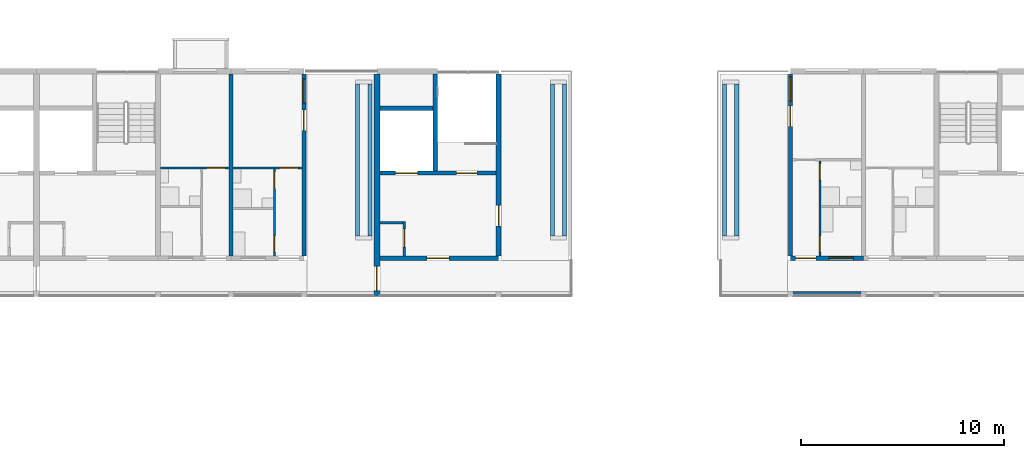
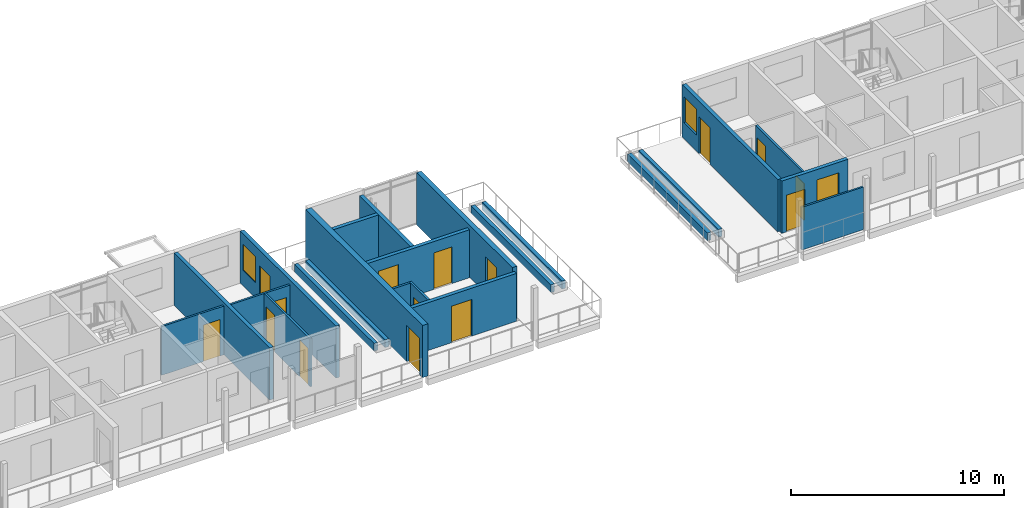
# One storey, part 39 of 94: 23 walls, 15 doors, 3 windows, 18 openings.
"""IFC4 building model written with IfcOpenShell, lengths in metres."""

from ifc_helpers import new_model, si_unit, direction, frame, frame_2d, origin, place, context, subcontext, project, spatial, rectangle, extrude, material, layer, layer_set, type_object, element, fill, save


model = new_model("IFC4")

# Units and contexts
model_context = context("Model", 3, precision=1e-05, world=origin(), true_north=direction((0.0, 1.0)))
body_context = subcontext(model_context, "Body", "Model", "MODEL_VIEW")
ifc_project = project(units=[si_unit("LENGTHUNIT", "METRE"), si_unit("AREAUNIT", "SQUARE_METRE"), si_unit("VOLUMEUNIT", "CUBIC_METRE"), si_unit("PLANEANGLEUNIT", "RADIAN"), si_unit("MASSUNIT", "GRAM", prefix="KILO")], contexts=[model_context])

# Site, building, storey
site_placement = place(None, origin())
site = spatial("IfcSite", under=ifc_project, at=site_placement, CompositionType="ELEMENT")
building_placement = place(site_placement, origin())
building = spatial("IfcBuilding", under=site, at=building_placement, Name="Ridgestep Commons", CompositionType="ELEMENT")
storey_placement = place(building_placement, frame((0.0, 0.0, 24.0)))
storey = spatial("IfcBuildingStorey", under=building, at=storey_placement, Name="L08", CompositionType="ELEMENT", Elevation=24.0)

# Wall, opening, door
ifc_material_1 = material(Name="Concrete C30/37", Category="concrete")
ifc_layer_1 = layer(ifc_material_1, 0.199951171875)
ifc_layer_set_1 = layer_set([ifc_layer_1], Name="Core south wall 200")
wall_type_1 = type_object("IfcWallType", Name="Core south wall 200", PredefinedType="SHEAR", material=ifc_layer_set_1)
wall_1_placement = place(storey_placement, frame((45.75, 67.89990234375, 0.0), z_axis=(0.0, 0.0, 1.0), x_axis=(1.0, 0.0, 0.0)))
wall_1 = element("IfcWall", 1, at=wall_1_placement, inside=storey, type_object=wall_type_1, Name="Core south wall B3C L08", PredefinedType="SHEAR", context=body_context, shape_type="SweptSolid", body=[
    extrude(rectangle(XDim=5.85009765625, YDim=0.199951171875, at=frame_2d((2.925048828125, 0.0))), origin(), (0.0, 0.0, 1.0), 2.75),
])
opening_1_placement = place(wall_1_placement, frame((2.3125, 0.0, 0.0)))
opening_1 = element("IfcOpeningElement", 2, at=opening_1_placement, cuts=wall_1, Name="Opening B3C/08/1", PredefinedType="OPENING", context=body_context, shape_type="SweptSolid", body=[
    extrude(rectangle(XDim=1.10009765625, YDim=2.10009765625, at=frame_2d((0.550048828125, 1.050048828125))), frame((0.0, 0.10986328125, 0.0), z_axis=(0.0, -1.0, 0.0), x_axis=(1.0, 0.0, 0.0)), (0.0, 0.0, 1.0), 0.219970703125),
])
ifc_material_2 = material(Name="Steel fire door", Category="steel")
door_type_1 = type_object("IfcDoorType", Name="Lobby door 1100 x 2100 FD60", OperationType="NOTDEFINED", PredefinedType="DOOR", material=ifc_material_2)
door_1_placement = place(opening_1_placement, origin())
door_1 = element("IfcDoor", 3, at=door_1_placement, inside=storey, type_object=door_type_1, Name="Lobby door B3C/08/1", OperationType="SINGLE_SWING_LEFT", OverallHeight=2.10009765625, OverallWidth=1.10009765625, PredefinedType="DOOR", context=body_context, shape_type="SweptSolid", body=[
    extrude(rectangle(XDim=1.10009765625, YDim=2.10009765625, at=frame_2d((0.550048828125, 1.050048828125))), frame((0.0, 0.02490234375, 0.0), z_axis=(0.0, -1.0, 0.0), x_axis=(1.0, 0.0, 0.0)), (0.0, 0.0, 1.0), 0.050048828125),
])
fill(opening_1, door_1)

ifc_material_3 = material(Name="Concrete C30/37", Category="concrete")
ifc_layer_2 = layer(ifc_material_3, 0.1201171875)
ifc_layer_set_2 = layer_set([ifc_layer_2], Name="Core wall 120")
wall_type_2 = type_object("IfcWallType", Name="Core wall 120", PredefinedType="SHEAR", material=ifc_layer_set_2)
wall_2_placement = place(storey_placement, frame((46.93994140625, 68.0, 0.0), z_axis=(0.0, 0.0, 1.0), x_axis=(0.0, 1.0, 0.0)))
wall_2 = element("IfcWall", 4, at=wall_2_placement, inside=storey, type_object=wall_type_2, Name="Core riser w wall B3C L08", PredefinedType="SHEAR", context=body_context, shape_type="SweptSolid", body=[
    extrude(rectangle(XDim=1.719970703125, YDim=0.1201171875, at=frame_2d((0.85986328125, 0.0))), origin(), (0.0, 0.0, 1.0), 2.75),
])
opening_2_placement = place(wall_2_placement, frame((0.449951171875, 0.0, 0.0)))
opening_2 = element("IfcOpeningElement", 5, at=opening_2_placement, cuts=wall_2, Name="Opening B3C/08/4", PredefinedType="OPENING", context=body_context, shape_type="SweptSolid", body=[
    extrude(rectangle(XDim=0.89990234375, YDim=2.10009765625, at=frame_2d((0.449951171875, 1.050048828125))), frame((0.0, 0.070068359375, 0.0), z_axis=(0.0, -1.0, 0.0), x_axis=(1.0, 0.0, 0.0)), (0.0, 0.0, 1.0), 0.14013671875),
])
ifc_material_4 = material(Name="Steel fire door", Category="steel")
door_type_2 = type_object("IfcDoorType", Name="Riser door 900 x 2100 FD60", OperationType="NOTDEFINED", PredefinedType="DOOR", material=ifc_material_4)
door_2_placement = place(opening_2_placement, origin())
door_2 = element("IfcDoor", 6, at=door_2_placement, inside=storey, type_object=door_type_2, Name="Riser door B3C/08/4", OperationType="SINGLE_SWING_RIGHT", OverallHeight=2.10009765625, OverallWidth=0.89990234375, PredefinedType="DOOR", context=body_context, shape_type="SweptSolid", body=[
    extrude(rectangle(XDim=0.89990234375, YDim=2.10009765625, at=frame_2d((0.449951171875, 1.050048828125))), frame((0.0, 0.02490234375, 0.0), z_axis=(0.0, -1.0, 0.0), x_axis=(1.0, 0.0, 0.0)), (0.0, 0.0, 1.0), 0.050048828125),
])
fill(opening_2, door_2)

# Wall
wall_3_placement = place(storey_placement, frame((45.75, 69.659912109375, 0.0), z_axis=(0.0, 0.0, 1.0), x_axis=(1.0, 0.0, 0.0)))
element("IfcWall", 7, at=wall_3_placement, inside=storey, type_object=wall_type_2, Name="Core riser n wall B3C L08", PredefinedType="SHEAR", context=body_context, shape_type="SweptSolid", body=[
    extrude(rectangle(XDim=1.1298828125, YDim=0.1201171875, at=frame_2d((0.56494140625, 0.0))), origin(), (0.0, 0.0, 1.0), 2.75),
])

# Wall, openings, doors
ifc_material_5 = material(Name="Concrete C30/37", Category="concrete")
ifc_layer_3 = layer(ifc_material_5, 0.199951171875)
ifc_layer_set_3 = layer_set([ifc_layer_3], Name="Core wall 200")
wall_type_3 = type_object("IfcWallType", Name="Core wall 200", PredefinedType="SHEAR", material=ifc_layer_set_3)
wall_4_placement = place(storey_placement, frame((45.75, 72.10009765625, 0.0), z_axis=(0.0, 0.0, 1.0), x_axis=(1.0, 0.0, 0.0)))
wall_4 = element("IfcWall", 8, at=wall_4_placement, inside=storey, type_object=wall_type_3, Name="Core lobby wall B3C L08", PredefinedType="SHEAR", context=body_context, shape_type="SweptSolid", body=[
    extrude(rectangle(XDim=5.72509765625, YDim=0.199951171875, at=frame_2d((2.862548828125, 0.0))), origin(), (0.0, 0.0, 1.0), 2.75),
])
opening_3_placement = place(wall_4_placement, frame((3.77490234375, 0.0, 0.0)))
opening_3 = element("IfcOpeningElement", 9, at=opening_3_placement, cuts=wall_4, Name="Opening B3C/08/2", PredefinedType="OPENING", context=body_context, shape_type="SweptSolid", body=[
    extrude(rectangle(XDim=1.0, YDim=2.10009765625, at=frame_2d((0.5, 1.050048828125))), frame((0.0, 0.10986328125, 0.0), z_axis=(0.0, -1.0, 0.0), x_axis=(1.0, 0.0, 0.0)), (0.0, 0.0, 1.0), 0.219970703125),
])
opening_4_placement = place(wall_4_placement, frame((0.762451171875, 0.0, 0.0)))
opening_4 = element("IfcOpeningElement", 10, at=opening_4_placement, cuts=wall_4, Name="Opening B3C/08/3", PredefinedType="OPENING", context=body_context, shape_type="SweptSolid", body=[
    extrude(rectangle(XDim=1.10009765625, YDim=2.10009765625, at=frame_2d((0.550048828125, 1.050048828125))), frame((0.0, 0.10986328125, 0.0), z_axis=(0.0, -1.0, 0.0), x_axis=(1.0, 0.0, 0.0)), (0.0, 0.0, 1.0), 0.219970703125),
])
ifc_material_6 = material(Name="Stainless steel", Category="steel")
door_type_3 = type_object("IfcDoorType", Name="Lift landing door 1100 x 2100 FD60", OperationType="DOUBLE_DOOR_SLIDING", PredefinedType="DOOR", material=ifc_material_6)
door_3_placement = place(opening_4_placement, origin())
door_3 = element("IfcDoor", 11, at=door_3_placement, inside=storey, type_object=door_type_3, Name="Landing door LD B3C L08", OperationType="DOUBLE_DOOR_SLIDING", OverallHeight=2.10009765625, OverallWidth=1.10009765625, PredefinedType="DOOR", context=body_context, shape_type="SweptSolid", body=[
    extrude(rectangle(XDim=1.10009765625, YDim=2.10009765625, at=frame_2d((0.550048828125, 1.050048828125))), frame((0.0, 0.02490234375, 0.0), z_axis=(0.0, -1.0, 0.0), x_axis=(1.0, 0.0, 0.0)), (0.0, 0.0, 1.0), 0.050048828125),
])
fill(opening_4, door_3)
ifc_material_7 = material(Name="Steel fire door", Category="steel")
door_type_4 = type_object("IfcDoorType", Name="Stair door 1000 x 2100 FD60", OperationType="NOTDEFINED", PredefinedType="DOOR", material=ifc_material_7)
door_4_placement = place(opening_3_placement, origin())
door_4 = element("IfcDoor", 12, at=door_4_placement, inside=storey, type_object=door_type_4, Name="Stair door B3C/08/2", OperationType="SINGLE_SWING_RIGHT", OverallHeight=2.10009765625, OverallWidth=1.0, PredefinedType="DOOR", context=body_context, shape_type="SweptSolid", body=[
    extrude(rectangle(XDim=1.0, YDim=2.10009765625, at=frame_2d((0.5, 1.050048828125))), frame((0.0, 0.02490234375, 0.0), z_axis=(0.0, -1.0, 0.0), x_axis=(1.0, 0.0, 0.0)), (0.0, 0.0, 1.0), 0.050048828125),
])
fill(opening_3, door_4)

# Walls
wall_5_placement = place(storey_placement, frame((48.47509765625, 72.199951171875, 0.0), z_axis=(0.0, 0.0, 1.0), x_axis=(0.0, 1.0, 0.0)))
element("IfcWall", 13, at=wall_5_placement, inside=storey, type_object=wall_type_3, Name="Core stair wall B3C L08", PredefinedType="SHEAR", context=body_context, shape_type="SweptSolid", body=[
    extrude(rectangle(XDim=4.800048828125, YDim=0.199951171875, at=frame_2d((2.39990234375, 0.0))), origin(), (0.0, 0.0, 1.0), 2.75),
])
wall_6_placement = place(storey_placement, frame((45.75, 75.300048828125, 0.0), z_axis=(0.0, 0.0, 1.0), x_axis=(1.0, 0.0, 0.0)))
element("IfcWall", 14, at=wall_6_placement, inside=storey, type_object=wall_type_3, Name="Core duct wall B3C L08", PredefinedType="SHEAR", context=body_context, shape_type="SweptSolid", body=[
    extrude(rectangle(XDim=2.625, YDim=0.199951171875, at=frame_2d((1.3125, 0.0))), origin(), (0.0, 0.0, 1.0), 2.75),
])
ifc_material_8 = material(Name="Precast concrete C40/50", Category="concrete")
ifc_layer_4 = layer(ifc_material_8, 0.199951171875)
ifc_layer_set_4 = layer_set([ifc_layer_4], Name="Cross wall 200")
wall_type_4 = type_object("IfcWallType", Name="Cross wall 200", PredefinedType="SHEAR", material=ifc_layer_set_4)
wall_7_placement = place(storey_placement, frame((38.39990234375, 68.0, 0.0), z_axis=(0.0, 0.0, 1.0), x_axis=(0.0, 1.0, 0.0)))
element("IfcWall", 15, at=wall_7_placement, inside=storey, type_object=wall_type_4, Name="Cross wall B-08-0384", PredefinedType="SHEAR", context=body_context, shape_type="SweptSolid", body=[
    extrude(rectangle(XDim=9.0, YDim=0.199951171875, at=frame_2d((4.5, 0.0))), origin(), (0.0, 0.0, 1.0), 3.0),
])

# Wall, opening, door
ifc_material_9 = material(Name="Concrete C30/37", Category="concrete")
ifc_layer_5 = layer(ifc_material_9, 0.25)
ifc_layer_set_5 = layer_set([ifc_layer_5], Name="Exposed core cross wall 250")
wall_type_5 = type_object("IfcWallType", Name="Exposed core cross wall 250", PredefinedType="SHEAR", material=ifc_layer_set_5)
wall_8_placement = place(storey_placement, frame((51.60009765625, 68.0, 0.0), z_axis=(0.0, 0.0, 1.0), x_axis=(0.0, 1.0, 0.0)))
wall_8 = element("IfcWall", 16, at=wall_8_placement, inside=storey, type_object=wall_type_5, Name="Cross wall B-08-0516", PredefinedType="SHEAR", context=body_context, shape_type="SweptSolid", body=[
    extrude(rectangle(XDim=9.0, YDim=0.25, at=frame_2d((4.5, 0.0))), origin(), (0.0, 0.0, 1.0), 3.0),
])
opening_5_placement = place(wall_8_placement, frame((1.5, 0.0, 0.0)))
opening_5 = element("IfcOpeningElement", 17, at=opening_5_placement, cuts=wall_8, Name="Opening B3C/08/T", PredefinedType="OPENING", context=body_context, shape_type="SweptSolid", body=[
    extrude(rectangle(XDim=1.0, YDim=2.10009765625, at=frame_2d((0.5, 1.050048828125))), frame((0.0, 0.135009765625, 0.0), z_axis=(0.0, -1.0, 0.0), x_axis=(1.0, 0.0, 0.0)), (0.0, 0.0, 1.0), 0.27001953125),
])
ifc_material_10 = material(Name="Aluminium and glass", Category="aluminium")
door_type_5 = type_object("IfcDoorType", Name="Terrace door 1000 x 2100 FD60", OperationType="NOTDEFINED", PredefinedType="DOOR", material=ifc_material_10)
door_5_placement = place(opening_5_placement, origin())
door_5 = element("IfcDoor", 18, at=door_5_placement, inside=storey, type_object=door_type_5, Name="Terrace door B3C/08/T", OperationType="SINGLE_SWING_RIGHT", OverallHeight=2.10009765625, OverallWidth=1.0, PredefinedType="DOOR", context=body_context, shape_type="SweptSolid", body=[
    extrude(rectangle(XDim=1.0, YDim=2.10009765625, at=frame_2d((0.5, 1.050048828125))), frame((0.0, 0.02490234375, 0.0), z_axis=(0.0, -1.0, 0.0), x_axis=(1.0, 0.0, 0.0)), (0.0, 0.0, 1.0), 0.050048828125),
])
fill(opening_5, door_5)

# Wall, openings, window, door
ifc_material_11 = material(Name="Precast concrete C40/50", Category="concrete")
ifc_layer_6 = layer(ifc_material_11, 0.199951171875)
ifc_layer_set_6 = layer_set([ifc_layer_6], Name="Exposed cross wall 200")
wall_type_6 = type_object("IfcWallType", Name="Exposed cross wall 200", PredefinedType="SHEAR", material=ifc_layer_set_6)
wall_9_placement = place(storey_placement, frame((42.0, 68.0, 0.0), z_axis=(0.0, 0.0, 1.0), x_axis=(0.0, 1.0, 0.0)))
wall_9 = element("IfcWall", 19, at=wall_9_placement, inside=storey, type_object=wall_type_6, Name="Cross wall B-08-0420", PredefinedType="SHEAR", context=body_context, shape_type="SweptSolid", body=[
    extrude(rectangle(XDim=9.0, YDim=0.199951171875, at=frame_2d((4.5, 0.0))), origin(), (0.0, 0.0, 1.0), 3.0),
])
opening_6_placement = place(wall_9_placement, frame((7.552490234375, 0.0, 0.89990234375)))
opening_6 = element("IfcOpeningElement", 20, at=opening_6_placement, cuts=wall_9, Name="Opening W10", PredefinedType="OPENING", context=body_context, shape_type="SweptSolid", body=[
    extrude(rectangle(XDim=1.199951171875, YDim=1.5, at=frame_2d((0.60009765625, 0.75))), frame((0.0, 0.10986328125, 0.0), z_axis=(0.0, -1.0, 0.0), x_axis=(1.0, 0.0, 0.0)), (0.0, 0.0, 1.0), 0.219970703125),
])
opening_7_placement = place(wall_9_placement, frame((6.205078125, 0.0, 0.0)))
opening_7 = element("IfcOpeningElement", 21, at=opening_7_placement, cuts=wall_9, Name="Opening B2-08a/5", PredefinedType="OPENING", context=body_context, shape_type="SweptSolid", body=[
    extrude(rectangle(XDim=1.0, YDim=2.10009765625, at=frame_2d((0.5, 1.050048828125))), frame((0.0, 0.10986328125, 0.0), z_axis=(0.0, -1.0, 0.0), x_axis=(1.0, 0.0, 0.0)), (0.0, 0.0, 1.0), 0.219970703125),
])
ifc_material_12 = material(Name="Aluminium 6063-T6 and glass", Category="aluminium")
window_type_1 = type_object("IfcWindowType", Name="Flat window 1200 x 1500", PartitioningType="SINGLE_PANEL", PredefinedType="WINDOW", material=ifc_material_12)
window_1_placement = place(opening_6_placement, origin())
window_1 = element("IfcWindow", 22, at=window_1_placement, inside=storey, type_object=window_type_1, Name="Window B2-08a 3", OverallHeight=1.5, OverallWidth=1.199951171875, PartitioningType="SINGLE_PANEL", PredefinedType="WINDOW", context=body_context, shape_type="SweptSolid", body=[
    extrude(rectangle(XDim=1.199951171875, YDim=1.5, at=frame_2d((0.60009765625, 0.75))), frame((0.0, 0.06005859375, 0.0), z_axis=(0.0, -1.0, 0.0), x_axis=(1.0, 0.0, 0.0)), (0.0, 0.0, 1.0), 0.06005859375),
])
fill(opening_6, window_1)
ifc_material_13 = material(Name="Aluminium and glass", Category="aluminium")
door_type_6 = type_object("IfcDoorType", Name="Terrace door 1000 x 2100", OperationType="NOTDEFINED", PredefinedType="DOOR", material=ifc_material_13)
door_6_placement = place(opening_7_placement, origin())
door_6 = element("IfcDoor", 23, at=door_6_placement, inside=storey, type_object=door_type_6, Name="Terrace door B2-08a/5", OperationType="SINGLE_SWING_LEFT", OverallHeight=2.10009765625, OverallWidth=1.0, PredefinedType="DOOR", context=body_context, shape_type="SweptSolid", body=[
    extrude(rectangle(XDim=1.0, YDim=2.10009765625, at=frame_2d((0.5, 1.050048828125))), frame((0.0, 0.02490234375, 0.0), z_axis=(0.0, -1.0, 0.0), x_axis=(1.0, 0.0, 0.0)), (0.0, 0.0, 1.0), 0.050048828125),
])
fill(opening_7, door_6)

wall_10_placement = place(storey_placement, frame((66.0, 68.0, 0.0), z_axis=(0.0, 0.0, 1.0), x_axis=(0.0, 1.0, 0.0)))
wall_10 = element("IfcWall", 24, at=wall_10_placement, inside=storey, type_object=wall_type_6, Name="Cross wall B-08-0660", PredefinedType="SHEAR", context=body_context, shape_type="SweptSolid", body=[
    extrude(rectangle(XDim=9.0, YDim=0.199951171875, at=frame_2d((4.5, 0.0))), origin(), (0.0, 0.0, 1.0), 3.0),
])
opening_8_placement = place(wall_10_placement, frame((7.652587890625, 0.0, 0.89990234375)))
opening_8 = element("IfcOpeningElement", 25, at=opening_8_placement, cuts=wall_10, Name="Opening W10", PredefinedType="OPENING", context=body_context, shape_type="SweptSolid", body=[
    extrude(rectangle(XDim=1.199951171875, YDim=1.5, at=frame_2d((0.60009765625, 0.75))), frame((0.0, 0.10986328125, 0.0), z_axis=(0.0, -1.0, 0.0), x_axis=(1.0, 0.0, 0.0)), (0.0, 0.0, 1.0), 0.219970703125),
])
opening_9_placement = place(wall_10_placement, frame((6.405029296875, 0.0, 0.0)))
opening_9 = element("IfcOpeningElement", 26, at=opening_9_placement, cuts=wall_10, Name="Opening B4-08a/5", PredefinedType="OPENING", context=body_context, shape_type="SweptSolid", body=[
    extrude(rectangle(XDim=1.0, YDim=2.10009765625, at=frame_2d((0.5, 1.050048828125))), frame((0.0, 0.10986328125, 0.0), z_axis=(0.0, -1.0, 0.0), x_axis=(1.0, 0.0, 0.0)), (0.0, 0.0, 1.0), 0.219970703125),
])
window_2_placement = place(opening_8_placement, origin())
window_2 = element("IfcWindow", 27, at=window_2_placement, inside=storey, type_object=window_type_1, Name="Window B4-08a 3", OverallHeight=1.5, OverallWidth=1.199951171875, PartitioningType="SINGLE_PANEL", PredefinedType="WINDOW", context=body_context, shape_type="SweptSolid", body=[
    extrude(rectangle(XDim=1.199951171875, YDim=1.5, at=frame_2d((0.60009765625, 0.75))), frame((0.0, 0.0, 0.0), z_axis=(0.0, -1.0, 0.0), x_axis=(1.0, 0.0, 0.0)), (0.0, 0.0, 1.0), 0.06005859375),
])
fill(opening_8, window_2)
door_7_placement = place(opening_9_placement, origin())
door_7 = element("IfcDoor", 28, at=door_7_placement, inside=storey, type_object=door_type_6, Name="Terrace door B4-08a/5", OperationType="SINGLE_SWING_RIGHT", OverallHeight=2.10009765625, OverallWidth=1.0, PredefinedType="DOOR", context=body_context, shape_type="SweptSolid", body=[
    extrude(rectangle(XDim=1.0, YDim=2.10009765625, at=frame_2d((0.5, 1.050048828125))), frame((0.0, 0.02490234375, 0.0), z_axis=(0.0, -1.0, 0.0), x_axis=(1.0, 0.0, 0.0)), (0.0, 0.0, 1.0), 0.050048828125),
])
fill(opening_9, door_7)

# Wall, opening, door
ifc_material_14 = material(Name="Precast concrete C40/50", Category="concrete")
ifc_layer_7 = layer(ifc_material_14, 0.300048828125)
ifc_layer_set_7 = layer_set([ifc_layer_7], Name="Exposed division wall 300")
wall_type_7 = type_object("IfcWallType", Name="Exposed division wall 300", PredefinedType="SHEAR", material=ifc_layer_set_7)
wall_11_placement = place(storey_placement, frame((45.60009765625, 66.0, 0.0), z_axis=(0.0, 0.0, 1.0), x_axis=(0.0, 1.0, 0.0)))
wall_11 = element("IfcWall", 29, at=wall_11_placement, inside=storey, type_object=wall_type_7, Name="Cross wall B-08-0456", PredefinedType="SHEAR", context=body_context, shape_type="SweptSolid", body=[
    extrude(rectangle(XDim=11.0, YDim=0.300048828125, at=frame_2d((5.5, 0.0))), origin(), (0.0, 0.0, 1.0), 3.0),
])
opening_10_placement = place(wall_11_placement, frame((0.300048828125, 0.0, 0.0)))
opening_10 = element("IfcOpeningElement", 30, at=opening_10_placement, cuts=wall_11, Name="Opening B/08/G0456", PredefinedType="OPENING", context=body_context, shape_type="SweptSolid", body=[
    extrude(rectangle(XDim=1.199951171875, YDim=2.10009765625, at=frame_2d((0.60009765625, 1.050048828125))), frame((0.0, 0.159912109375, 0.0), z_axis=(0.0, -1.0, 0.0), x_axis=(1.0, 0.0, 0.0)), (0.0, 0.0, 1.0), 0.320068359375),
])
ifc_material_15 = material(Name="Steel fire door", Category="steel")
door_type_7 = type_object("IfcDoorType", Name="Division fire door 1200 x 2100 EI 240", OperationType="DOUBLE_DOOR_SINGLE_SWING", PredefinedType="DOOR", material=ifc_material_15)
door_8_placement = place(opening_10_placement, origin())
door_8 = element("IfcDoor", 31, at=door_8_placement, inside=storey, type_object=door_type_7, Name="Division fire door B/08/G0456", OperationType="DOUBLE_DOOR_SINGLE_SWING", OverallHeight=2.10009765625, OverallWidth=1.199951171875, PredefinedType="DOOR", context=body_context, shape_type="SweptSolid", body=[
    extrude(rectangle(XDim=1.199951171875, YDim=2.10009765625, at=frame_2d((0.60009765625, 1.050048828125))), frame((0.0, 0.02490234375, 0.0), z_axis=(0.0, -1.0, 0.0), x_axis=(1.0, 0.0, 0.0)), (0.0, 0.0, 1.0), 0.050048828125),
])
fill(opening_10, door_8)

# Wall, openings, doors
ifc_material_16 = material(Name="Common brick 110 mm", Category="masonry")
ifc_layer_8 = layer(ifc_material_16, 0.110107421875)
ifc_layer_set_8 = layer_set([ifc_layer_8], Name="Partition 110")
wall_type_8 = type_object("IfcWallType", Name="Partition 110", PredefinedType="PARTITIONING", material=ifc_layer_set_8)
wall_12_placement = place(storey_placement, frame((40.544921875, 68.0, 0.0), z_axis=(0.0, 0.0, 1.0), x_axis=(0.0, 1.0, 0.0)))
wall_12 = element("IfcWall", 32, at=wall_12_placement, inside=storey, type_object=wall_type_8, Name="Partition B2-08a", PredefinedType="PARTITIONING", context=body_context, shape_type="SweptSolid", body=[
    extrude(rectangle(XDim=4.300048828125, YDim=0.110107421875, at=frame_2d((2.14990234375, 0.0))), origin(), (0.0, 0.0, 1.0), 2.75),
])
opening_11_placement = place(wall_12_placement, frame((0.199951171875, 0.0, 0.0)))
opening_11 = element("IfcOpeningElement", 33, at=opening_11_placement, cuts=wall_12, Name="Opening B2-08a/2", PredefinedType="OPENING", context=body_context, shape_type="SweptSolid", body=[
    extrude(rectangle(XDim=0.800048828125, YDim=2.10009765625, at=frame_2d((0.39990234375, 1.050048828125))), frame((0.0, 0.06494140625, 0.0), z_axis=(0.0, -1.0, 0.0), x_axis=(1.0, 0.0, 0.0)), (0.0, 0.0, 1.0), 0.130126953125),
])
opening_12_placement = place(wall_12_placement, frame((3.35009765625, 0.0, 0.0)))
opening_12 = element("IfcOpeningElement", 34, at=opening_12_placement, cuts=wall_12, Name="Opening B2-08a/3", PredefinedType="OPENING", context=body_context, shape_type="SweptSolid", body=[
    extrude(rectangle(XDim=0.800048828125, YDim=2.10009765625, at=frame_2d((0.39990234375, 1.050048828125))), frame((0.0, 0.06494140625, 0.0), z_axis=(0.0, -1.0, 0.0), x_axis=(1.0, 0.0, 0.0)), (0.0, 0.0, 1.0), 0.130126953125),
])
ifc_material_17 = material(Name="Timber door leaf", Category="wood")
door_type_8 = type_object("IfcDoorType", Name="Internal door 800 x 2100", OperationType="NOTDEFINED", PredefinedType="DOOR", material=ifc_material_17)
door_9_placement = place(opening_11_placement, origin())
door_9 = element("IfcDoor", 35, at=door_9_placement, inside=storey, type_object=door_type_8, Name="Internal door B2-08a/2", OperationType="SINGLE_SWING_LEFT", OverallHeight=2.10009765625, OverallWidth=0.800048828125, PredefinedType="DOOR", context=body_context, shape_type="SweptSolid", body=[
    extrude(rectangle(XDim=0.800048828125, YDim=2.10009765625, at=frame_2d((0.39990234375, 1.050048828125))), frame((0.0, 0.02490234375, 0.0), z_axis=(0.0, -1.0, 0.0), x_axis=(1.0, 0.0, 0.0)), (0.0, 0.0, 1.0), 0.050048828125),
])
fill(opening_11, door_9)
door_10_placement = place(opening_12_placement, origin())
door_10 = element("IfcDoor", 36, at=door_10_placement, inside=storey, type_object=door_type_8, Name="Internal door B2-08a/3", OperationType="SINGLE_SWING_RIGHT", OverallHeight=2.10009765625, OverallWidth=0.800048828125, PredefinedType="DOOR", context=body_context, shape_type="SweptSolid", body=[
    extrude(rectangle(XDim=0.800048828125, YDim=2.10009765625, at=frame_2d((0.39990234375, 1.050048828125))), frame((0.0, 0.02490234375, 0.0), z_axis=(0.0, -1.0, 0.0), x_axis=(1.0, 0.0, 0.0)), (0.0, 0.0, 1.0), 0.050048828125),
])
fill(opening_12, door_10)

# Wall, opening, door
wall_13_placement = place(storey_placement, frame((38.5, 72.35498046875, 0.0), z_axis=(0.0, 0.0, 1.0), x_axis=(1.0, 0.0, 0.0)))
wall_13 = element("IfcWall", 37, at=wall_13_placement, inside=storey, type_object=wall_type_8, Name="Partition B2-08a", PredefinedType="PARTITIONING", context=body_context, shape_type="SweptSolid", body=[
    extrude(rectangle(XDim=3.39990234375, YDim=0.110107421875, at=frame_2d((1.699951171875, 0.0))), origin(), (0.0, 0.0, 1.0), 2.75),
])
opening_13_placement = place(wall_13_placement, frame((2.300048828125, 0.0, 0.0)))
opening_13 = element("IfcOpeningElement", 38, at=opening_13_placement, cuts=wall_13, Name="Opening B2-08a/4", PredefinedType="OPENING", context=body_context, shape_type="SweptSolid", body=[
    extrude(rectangle(XDim=0.89990234375, YDim=2.10009765625, at=frame_2d((0.449951171875, 1.050048828125))), frame((0.0, 0.06494140625, 0.0), z_axis=(0.0, -1.0, 0.0), x_axis=(1.0, 0.0, 0.0)), (0.0, 0.0, 1.0), 0.130126953125),
])
ifc_material_18 = material(Name="Timber door leaf", Category="wood")
door_type_9 = type_object("IfcDoorType", Name="Internal door 900 x 2100", OperationType="NOTDEFINED", PredefinedType="DOOR", material=ifc_material_18)
door_11_placement = place(opening_13_placement, origin())
door_11 = element("IfcDoor", 39, at=door_11_placement, inside=storey, type_object=door_type_9, Name="Internal door B2-08a/4", OperationType="SINGLE_SWING_LEFT", OverallHeight=2.10009765625, OverallWidth=0.89990234375, PredefinedType="DOOR", context=body_context, shape_type="SweptSolid", body=[
    extrude(rectangle(XDim=0.89990234375, YDim=2.10009765625, at=frame_2d((0.449951171875, 1.050048828125))), frame((0.0, 0.02490234375, 0.0), z_axis=(0.0, -1.0, 0.0), x_axis=(1.0, 0.0, 0.0)), (0.0, 0.0, 1.0), 0.050048828125),
])
fill(opening_13, door_11)

wall_14_placement = place(storey_placement, frame((34.925048828125, 72.35498046875, 0.0), z_axis=(0.0, 0.0, 1.0), x_axis=(1.0, 0.0, 0.0)))
wall_14 = element("IfcWall", 40, at=wall_14_placement, inside=storey, type_object=wall_type_8, Name="Partition B2-08b", PredefinedType="PARTITIONING", context=body_context, shape_type="SweptSolid", body=[
    extrude(rectangle(XDim=3.375, YDim=0.110107421875, at=frame_2d((1.6875, 0.0))), origin(), (0.0, 0.0, 1.0), 2.800048828125),
])
opening_14_placement = place(wall_14_placement, frame((2.27490234375, 0.0, 0.0)))
opening_14 = element("IfcOpeningElement", 41, at=opening_14_placement, cuts=wall_14, Name="Opening B2-08b/4", PredefinedType="OPENING", context=body_context, shape_type="SweptSolid", body=[
    extrude(rectangle(XDim=0.89990234375, YDim=2.10009765625, at=frame_2d((0.449951171875, 1.050048828125))), frame((0.0, 0.06494140625, 0.0), z_axis=(0.0, -1.0, 0.0), x_axis=(1.0, 0.0, 0.0)), (0.0, 0.0, 1.0), 0.130126953125),
])
door_12_placement = place(opening_14_placement, origin())
door_12 = element("IfcDoor", 42, at=door_12_placement, inside=storey, type_object=door_type_9, Name="Internal door B2-08b/4", OperationType="SINGLE_SWING_LEFT", OverallHeight=2.10009765625, OverallWidth=0.89990234375, PredefinedType="DOOR", context=body_context, shape_type="SweptSolid", body=[
    extrude(rectangle(XDim=0.89990234375, YDim=2.10009765625, at=frame_2d((0.449951171875, 1.050048828125))), frame((0.0, 0.02490234375, 0.0), z_axis=(0.0, -1.0, 0.0), x_axis=(1.0, 0.0, 0.0)), (0.0, 0.0, 1.0), 0.050048828125),
])
fill(opening_14, door_12)

# Wall, openings, doors
wall_15_placement = place(storey_placement, frame((67.455078125, 68.0, 0.0), z_axis=(0.0, 0.0, 1.0), x_axis=(0.0, 1.0, 0.0)))
wall_15 = element("IfcWall", 43, at=wall_15_placement, inside=storey, type_object=wall_type_8, Name="Partition B4-08a", PredefinedType="PARTITIONING", context=body_context, shape_type="SweptSolid", body=[
    extrude(rectangle(XDim=4.699951171875, YDim=0.110107421875, at=frame_2d((2.35009765625, 0.0))), origin(), (0.0, 0.0, 1.0), 2.75),
])
opening_15_placement = place(wall_15_placement, frame((0.199951171875, 0.0, 0.0)))
opening_15 = element("IfcOpeningElement", 44, at=opening_15_placement, cuts=wall_15, Name="Opening B4-08a/2", PredefinedType="OPENING", context=body_context, shape_type="SweptSolid", body=[
    extrude(rectangle(XDim=0.800048828125, YDim=2.10009765625, at=frame_2d((0.39990234375, 1.050048828125))), frame((0.0, 0.06494140625, 0.0), z_axis=(0.0, -1.0, 0.0), x_axis=(1.0, 0.0, 0.0)), (0.0, 0.0, 1.0), 0.130126953125),
])
opening_16_placement = place(wall_15_placement, frame((3.75, 0.0, 0.0)))
opening_16 = element("IfcOpeningElement", 45, at=opening_16_placement, cuts=wall_15, Name="Opening B4-08a/3", PredefinedType="OPENING", context=body_context, shape_type="SweptSolid", body=[
    extrude(rectangle(XDim=0.800048828125, YDim=2.10009765625, at=frame_2d((0.39990234375, 1.050048828125))), frame((0.0, 0.06494140625, 0.0), z_axis=(0.0, -1.0, 0.0), x_axis=(1.0, 0.0, 0.0)), (0.0, 0.0, 1.0), 0.130126953125),
])
door_13_placement = place(opening_15_placement, origin())
door_13 = element("IfcDoor", 46, at=door_13_placement, inside=storey, type_object=door_type_8, Name="Internal door B4-08a/2", OperationType="SINGLE_SWING_RIGHT", OverallHeight=2.10009765625, OverallWidth=0.800048828125, PredefinedType="DOOR", context=body_context, shape_type="SweptSolid", body=[
    extrude(rectangle(XDim=0.800048828125, YDim=2.10009765625, at=frame_2d((0.39990234375, 1.050048828125))), frame((0.0, 0.02490234375, 0.0), z_axis=(0.0, -1.0, 0.0), x_axis=(1.0, 0.0, 0.0)), (0.0, 0.0, 1.0), 0.050048828125),
])
fill(opening_15, door_13)
door_14_placement = place(opening_16_placement, origin())
door_14 = element("IfcDoor", 47, at=door_14_placement, inside=storey, type_object=door_type_8, Name="Internal door B4-08a/3", OperationType="SINGLE_SWING_LEFT", OverallHeight=2.10009765625, OverallWidth=0.800048828125, PredefinedType="DOOR", context=body_context, shape_type="SweptSolid", body=[
    extrude(rectangle(XDim=0.800048828125, YDim=2.10009765625, at=frame_2d((0.39990234375, 1.050048828125))), frame((0.0, 0.02490234375, 0.0), z_axis=(0.0, -1.0, 0.0), x_axis=(1.0, 0.0, 0.0)), (0.0, 0.0, 1.0), 0.050048828125),
])
fill(opening_16, door_14)

# Walls
ifc_material_19 = material(Name="Precast concrete C30/37", Category="concrete")
ifc_layer_9 = layer(ifc_material_19, 0.10009765625)
ifc_layer_set_9 = layer_set([ifc_layer_9], Name="Perforated gallery screen 3350 x 2450 x 100")
wall_type_9 = type_object("IfcWallType", Name="Perforated gallery screen 3350 x 2450 x 100", PredefinedType="SOLIDWALL", material=ifc_layer_set_9)
wall_16_placement = place(storey_placement, frame((66.125, 66.199951171875, 0.0), z_axis=(0.0, 0.0, 1.0), x_axis=(1.0, 0.0, 0.0)))
element("IfcWall", 48, at=wall_16_placement, inside=storey, type_object=wall_type_9, Name="Gallery screen B4T2 08", PredefinedType="SOLIDWALL", context=body_context, shape_type="SweptSolid", body=[
    extrude(rectangle(XDim=3.35009765625, YDim=0.10009765625, at=frame_2d((1.675048828125, 0.0))), origin(), (0.0, 0.0, 1.0), 2.449951171875),
])
ifc_material_20 = material(Name="Facing brick", Category="masonry")
ifc_layer_10 = layer(ifc_material_20, 0.199951171875)
ifc_layer_set_10 = layer_set([ifc_layer_10], Name="Planter wall 200")
wall_type_10 = type_object("IfcWallType", Name="Planter wall 200", PredefinedType="SOLIDWALL", material=ifc_layer_set_10)
for number, where, z_axis, x_axis, name in (
    (49, (44.64990234375, 69.0, 0.010009765625), (0.0, 0.0, 1.0), (0.0, 1.0, 0.0), "Planter wall B2R1W"),
    (50, (45.25, 69.0, 0.010009765625), (0.0, 0.0, 1.0), (0.0, 1.0, 0.0), "Planter wall B2R1E"),
    (51, (54.25, 69.0, 0.010009765625), (0.0, 0.0, 1.0), (0.0, 1.0, 0.0), "Planter wall B3R3W"),
    (52, (54.85009765625, 69.0, 0.010009765625), (0.0, 0.0, 1.0), (0.0, 1.0, 0.0), "Planter wall B3R3E"),
    (53, (62.75, 69.0, 0.010009765625), (0.0, 0.0, 1.0), (0.0, 1.0, 0.0), "Planter wall B4R1W"),
    (54, (63.35009765625, 69.0, 0.010009765625), (0.0, 0.0, 1.0), (0.0, 1.0, 0.0), "Planter wall B4R1E"),
):
    element("IfcWall", number, at=place(storey_placement, frame(where, z_axis=z_axis, x_axis=x_axis)), inside=storey, type_object=wall_type_10, Name=name, PredefinedType="SOLIDWALL", context=body_context, shape_type="SweptSolid", body=[
        extrude(rectangle(XDim=7.5, YDim=0.199951171875, at=frame_2d((3.75, 0.0))), origin(), (0.0, 0.0, 1.0), 0.449951171875),
    ])

# Wall, openings, door, window
ifc_material_21 = material(Name="Precast concrete C40/50", Category="concrete")
ifc_layer_11 = layer(ifc_material_21, 0.199951171875)
ifc_layer_set_11 = layer_set([ifc_layer_11], Name="South facade panel 200")
wall_type_11 = type_object("IfcWallType", Name="South facade panel 200", PredefinedType="SOLIDWALL", material=ifc_layer_set_11)
wall_17_placement = place(storey_placement, frame((66.0, 67.89990234375, 0.0), z_axis=(0.0, 0.0, 1.0), x_axis=(1.0, 0.0, 0.0)))
wall_17 = element("IfcWall", 55, at=wall_17_placement, inside=storey, type_object=wall_type_11, Name="South panel B4T2 L08", PredefinedType="SOLIDWALL", context=body_context, shape_type="SweptSolid", body=[
    extrude(rectangle(XDim=3.60009765625, YDim=0.199951171875, at=frame_2d((1.800048828125, 0.0))), origin(), (0.0, 0.0, 1.0), 3.0),
])
opening_17_placement = place(wall_17_placement, frame((1.905029296875, 0.0, 1.10009765625)))
opening_17 = element("IfcOpeningElement", 56, at=opening_17_placement, cuts=wall_17, Name="Opening W08", PredefinedType="OPENING", context=body_context, shape_type="SweptSolid", body=[
    extrude(rectangle(XDim=1.199951171875, YDim=1.300048828125, at=frame_2d((0.60009765625, 0.64990234375))), frame((0.0, 0.10986328125, 0.0), z_axis=(0.0, -1.0, 0.0), x_axis=(1.0, 0.0, 0.0)), (0.0, 0.0, 1.0), 0.219970703125),
])
opening_18_placement = place(wall_17_placement, frame((0.25, 0.0, 0.0)))
opening_18 = element("IfcOpeningElement", 57, at=opening_18_placement, cuts=wall_17, Name="Opening B4-08a/1", PredefinedType="OPENING", context=body_context, shape_type="SweptSolid", body=[
    extrude(rectangle(XDim=1.0, YDim=2.10009765625, at=frame_2d((0.5, 1.050048828125))), frame((0.0, 0.10986328125, 0.0), z_axis=(0.0, -1.0, 0.0), x_axis=(1.0, 0.0, 0.0)), (0.0, 0.0, 1.0), 0.219970703125),
])
ifc_material_22 = material(Name="Timber door leaf", Category="wood")
door_type_10 = type_object("IfcDoorType", Name="Flat entrance door 1000 x 2100 FD30S", OperationType="NOTDEFINED", PredefinedType="DOOR", material=ifc_material_22)
door_15_placement = place(opening_18_placement, origin())
door_15 = element("IfcDoor", 58, at=door_15_placement, inside=storey, type_object=door_type_10, Name="Flat entrance door B4-08a/1", OperationType="SINGLE_SWING_LEFT", OverallHeight=2.10009765625, OverallWidth=1.0, PredefinedType="DOOR", context=body_context, shape_type="SweptSolid", body=[
    extrude(rectangle(XDim=1.0, YDim=2.10009765625, at=frame_2d((0.5, 1.050048828125))), frame((0.0, 0.02490234375, 0.0), z_axis=(0.0, -1.0, 0.0), x_axis=(1.0, 0.0, 0.0)), (0.0, 0.0, 1.0), 0.050048828125),
])
fill(opening_18, door_15)
ifc_material_23 = material(Name="Aluminium 6063-T6 and glass", Category="aluminium")
window_type_2 = type_object("IfcWindowType", Name="Flat window 1200 x 1300", PartitioningType="SINGLE_PANEL", PredefinedType="WINDOW", material=ifc_material_23)
window_3_placement = place(opening_17_placement, origin())
window_3 = element("IfcWindow", 59, at=window_3_placement, inside=storey, type_object=window_type_2, Name="Window B4-08a 1", OverallHeight=1.300048828125, OverallWidth=1.199951171875, PartitioningType="SINGLE_PANEL", PredefinedType="WINDOW", context=body_context, shape_type="SweptSolid", body=[
    extrude(rectangle(XDim=1.199951171875, YDim=1.300048828125, at=frame_2d((0.60009765625, 0.64990234375))), frame((0.0, 0.06005859375, 0.0), z_axis=(0.0, -1.0, 0.0), x_axis=(1.0, 0.0, 0.0)), (0.0, 0.0, 1.0), 0.06005859375),
])
fill(opening_17, window_3)

save(model, "model.ifc")
